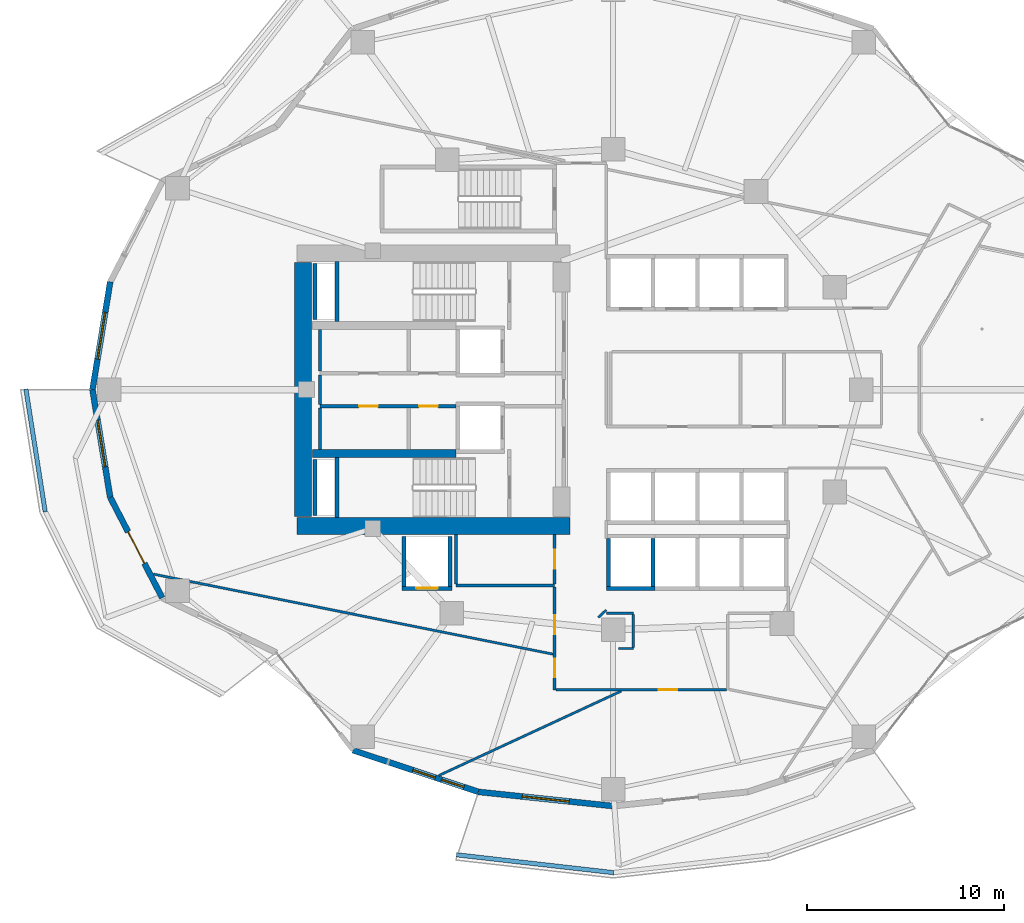
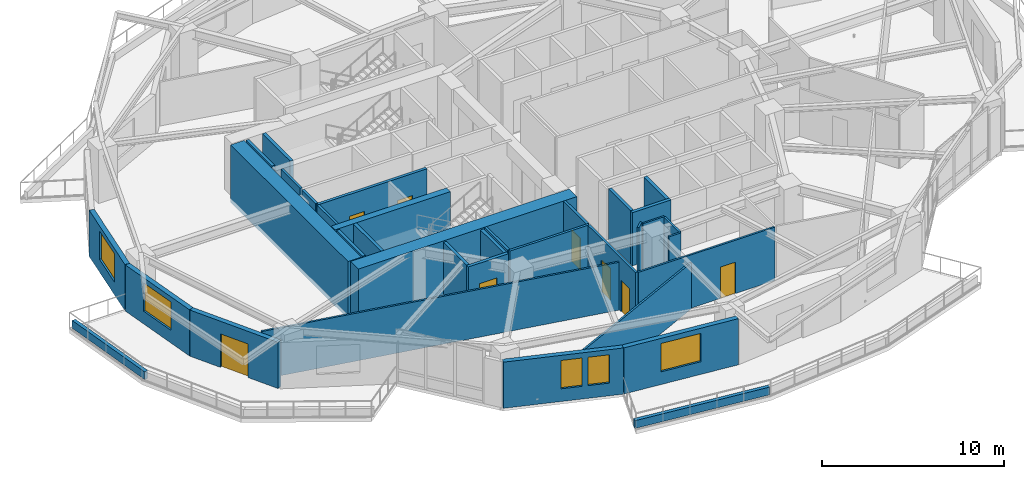
# One storey, part 8 of 18: 35 walls, 8 doors, 5 windows, 13 openings.
"""IFC4 building model written with IfcOpenShell, lengths in metres."""

from ifc_helpers import new_model, si_unit, direction, frame, frame_2d, origin, place, context, subcontext, project, spatial, rectangle, extrude, material, layer, layer_set, type_object, element, fill, save


model = new_model("IFC4")

# Units and contexts
model_context = context("Model", 3, precision=1e-05, world=origin(), true_north=direction((0.0, 1.0)))
body_context = subcontext(model_context, "Body", "Model", "MODEL_VIEW")
ifc_project = project(units=[si_unit("LENGTHUNIT", "METRE"), si_unit("AREAUNIT", "SQUARE_METRE"), si_unit("VOLUMEUNIT", "CUBIC_METRE"), si_unit("PLANEANGLEUNIT", "RADIAN"), si_unit("MASSUNIT", "GRAM", prefix="KILO")], contexts=[model_context])

# Site, building, storey
site_placement = place(None, origin())
site = spatial("IfcSite", under=ifc_project, at=site_placement, CompositionType="ELEMENT")
building_placement = place(site_placement, origin())
building = spatial("IfcBuilding", under=site, at=building_placement, Name="Kolvaren Gate Tower and Convention Centre", CompositionType="ELEMENT")
storey_placement = place(building_placement, frame((0.0, 0.0, 61.14990234375)))
storey = spatial("IfcBuildingStorey", under=building, at=storey_placement, Name="L14", CompositionType="ELEMENT", Elevation=61.14990234375)

# Wall, openings, doors
ifc_material_1 = material(Name="Autoclaved Aerated Masonry Blockwork Class 4 (4.0 MPa)", Category="masonry")
ifc_layer_1 = layer(ifc_material_1, 0.179931640625)
ifc_layer_set_1 = layer_set([ifc_layer_1], Name="Autoclaved Aerated Masonry Blockwork Class 4 (4.0 MPa)")
wall_type_1 = type_object("IfcWallType", Name="ARCH-WL-COMP-180", PredefinedType="SOLIDWALL", material=ifc_layer_set_1)
wall_1_placement = place(storey_placement, frame((15.25, 26.159912109375, 0.0), z_axis=(0.0, 0.0, 1.0), x_axis=(1.0, 0.0, 0.0)))
wall_1 = element("IfcWall", 1, at=wall_1_placement, inside=storey, type_object=wall_type_1, Name="Interior Partition WL-L14-INT-005", PredefinedType="SOLIDWALL", context=body_context, shape_type="SweptSolid", body=[
    extrude(rectangle(XDim=6.89990234375, YDim=0.179931640625, at=frame_2d((3.449951171875, 0.0))), origin(), (0.0, 0.0, 1.0), 3.570068359375),
])
opening_1_placement = place(wall_1_placement, frame((5.02001953125, 0.0, 0.0)))
opening_1 = element("IfcOpeningElement", 2, at=opening_1_placement, cuts=wall_1, Name="Opening DR-01", PredefinedType="OPENING", context=body_context, shape_type="SweptSolid", body=[
    extrude(rectangle(XDim=0.949951171875, YDim=2.10009765625, at=frame_2d((0.47509765625, 1.050048828125))), frame((0.0, 0.099853515625, 0.0), z_axis=(0.0, -1.0, 0.0), x_axis=(1.0, 0.0, 0.0)), (0.0, 0.0, 1.0), 0.199951171875),
])
opening_2_placement = place(wall_1_placement, frame((1.97998046875, 0.0, 0.0)))
opening_2 = element("IfcOpeningElement", 3, at=opening_2_placement, cuts=wall_1, Name="Opening DR-01", PredefinedType="OPENING", context=body_context, shape_type="SweptSolid", body=[
    extrude(rectangle(XDim=0.949951171875, YDim=2.10009765625, at=frame_2d((0.47509765625, 1.050048828125))), frame((0.0, 0.099853515625, 0.0), z_axis=(0.0, -1.0, 0.0), x_axis=(1.0, 0.0, 0.0)), (0.0, 0.0, 1.0), 0.199951171875),
])
ifc_material_2 = material(Name="Painted Architectural Steelwork ASTM A500 Grade C 345 MPa", Category="steel")
door_type_1 = type_object("IfcDoorType", Name="ARCH-DR-RISER-950", OperationType="SINGLE_SWING_RIGHT", PredefinedType="DOOR", material=ifc_material_2)
door_1_placement = place(opening_1_placement, origin())
door_1 = element("IfcDoor", 4, at=door_1_placement, inside=storey, type_object=door_type_1, Name="Domestic Water Meter Closet Door", OperationType="SINGLE_SWING_LEFT", OverallHeight=2.10009765625, OverallWidth=0.949951171875, PredefinedType="DOOR", context=body_context, shape_type="SweptSolid", body=[
    extrude(rectangle(XDim=0.949951171875, YDim=2.10009765625, at=frame_2d((0.47509765625, 1.050048828125))), frame((0.0, 0.02490234375, 0.0), z_axis=(0.0, -1.0, 0.0), x_axis=(1.0, 0.0, 0.0)), (0.0, 0.0, 1.0), 0.050048828125),
])
fill(opening_1, door_1)
door_2_placement = place(opening_2_placement, origin())
door_2 = element("IfcDoor", 5, at=door_2_placement, inside=storey, type_object=door_type_1, Name="Janitor Equipment Store Door", OperationType="SINGLE_SWING_LEFT", OverallHeight=2.10009765625, OverallWidth=0.949951171875, PredefinedType="DOOR", context=body_context, shape_type="SweptSolid", body=[
    extrude(rectangle(XDim=0.949951171875, YDim=2.10009765625, at=frame_2d((0.47509765625, 1.050048828125))), frame((0.0, 0.02490234375, 0.0), z_axis=(0.0, -1.0, 0.0), x_axis=(1.0, 0.0, 0.0)), (0.0, 0.0, 1.0), 0.050048828125),
])
fill(opening_2, door_2)

# Wall
ifc_material_3 = material(Name="Fire-Rated Acoustic Gypsum Stud Partition", Category="gypsum")
ifc_layer_2 = layer(ifc_material_3, 0.1201171875)
ifc_layer_set_2 = layer_set([ifc_layer_2], Name="Fire-Rated Acoustic Gypsum Stud Partition")
wall_type_2 = type_object("IfcWallType", Name="ARCH-WL-PART-120", PredefinedType="PARTITIONING", material=ifc_layer_set_2)
wall_2_placement = place(storey_placement, frame((29.780029296875, 15.64990234375, 0.0), z_axis=(0.0, 0.0, 1.0), x_axis=(1.0, 0.0, 0.0)))
element("IfcWall", 6, at=wall_2_placement, inside=storey, type_object=wall_type_2, Name="Interior Partition WL-L14-INT-017", PredefinedType="PARTITIONING", context=body_context, shape_type="SweptSolid", body=[
    extrude(rectangle(XDim=1.369873046875, YDim=0.1201171875, at=frame_2d((0.68505859375, 0.0))), origin(), (0.0, 0.0, 1.0), 3.570068359375),
])

# Wall, opening, door
wall_3_placement = place(storey_placement, frame((27.22705078125, 11.75, 0.0), z_axis=(0.0, 0.0, 1.0), x_axis=(1.0, 0.0, 0.0)))
wall_3 = element("IfcWall", 7, at=wall_3_placement, inside=storey, type_object=wall_type_2, Name="Interior Partition WL-L14-INT-020", PredefinedType="PARTITIONING", context=body_context, shape_type="SweptSolid", body=[
    extrude(rectangle(XDim=8.660888671875, YDim=0.1201171875, at=frame_2d((4.33056640625, 0.0))), origin(), (0.0, 0.0, 1.0), 3.570068359375),
])
opening_3_placement = place(wall_3_placement, frame((5.205810546875, 0.0, 0.0)))
opening_3 = element("IfcOpeningElement", 8, at=opening_3_placement, cuts=wall_3, Name="Opening DR-01", PredefinedType="OPENING", context=body_context, shape_type="SweptSolid", body=[
    extrude(rectangle(XDim=0.949951171875, YDim=2.10009765625, at=frame_2d((0.47509765625, 1.050048828125))), frame((0.0, 0.070068359375, 0.0), z_axis=(0.0, -1.0, 0.0), x_axis=(1.0, 0.0, 0.0)), (0.0, 0.0, 1.0), 0.14013671875),
])
door_3_placement = place(opening_3_placement, origin())
door_3 = element("IfcDoor", 9, at=door_3_placement, inside=storey, type_object=door_type_1, Name="Visitor Arrival Foyer Door", OperationType="SINGLE_SWING_RIGHT", OverallHeight=2.10009765625, OverallWidth=0.949951171875, PredefinedType="DOOR", context=body_context, shape_type="SweptSolid", body=[
    extrude(rectangle(XDim=0.949951171875, YDim=2.10009765625, at=frame_2d((0.47509765625, 1.050048828125))), frame((0.0, 0.02490234375, 0.0), z_axis=(0.0, -1.0, 0.0), x_axis=(1.0, 0.0, 0.0)), (0.0, 0.0, 1.0), 0.050048828125),
])
fill(opening_3, door_3)

# Walls
wall_4_placement = place(storey_placement, frame((29.366943359375, 15.422119140625, 0.0), z_axis=(0.0, 0.0, 1.0), x_axis=(0.730667420492, 0.682733564893, 0.0)))
element("IfcWall", 10, at=wall_4_placement, inside=storey, type_object=wall_type_2, Name="Interior Partition WL-L14-INT-037", PredefinedType="PARTITIONING", context=body_context, shape_type="SweptSolid", body=[
    extrude(rectangle(XDim=0.5654296875, YDim=0.1201171875, at=frame_2d((0.28271484375, 0.0))), origin(), (0.0, 0.0, 1.0), 3.570068359375),
])
wall_5_placement = place(storey_placement, frame((30.39111328125, 13.85009765625, 0.0), z_axis=(0.0, 0.0, 1.0), x_axis=(1.0, 0.0, 0.0)))
element("IfcWall", 11, at=wall_5_placement, inside=storey, type_object=wall_type_2, Name="Interior Partition WL-L14-INT-038", PredefinedType="PARTITIONING", context=body_context, shape_type="SweptSolid", body=[
    extrude(rectangle(XDim=0.7587890625, YDim=0.1201171875, at=frame_2d((0.37939453125, 0.0))), origin(), (0.0, 0.0, 1.0), 3.570068359375),
])
wall_6_placement = place(storey_placement, frame((31.14990234375, 13.912109375, 0.0), z_axis=(0.0, 0.0, 1.0), x_axis=(0.0, 1.0, 0.0)))
element("IfcWall", 12, at=wall_6_placement, inside=storey, type_object=wall_type_2, Name="Interior Partition WL-L14-INT-039", PredefinedType="PARTITIONING", context=body_context, shape_type="SweptSolid", body=[
    extrude(rectangle(XDim=1.67578125, YDim=0.1201171875, at=frame_2d((0.837890625, 0.0))), origin(), (0.0, 0.0, 1.0), 3.570068359375),
])
wall_7_placement = place(storey_placement, frame((6.77734375, 17.62890625, 0.0), z_axis=(0.0, 0.0, 1.0), x_axis=(0.980522111168, -0.19640873074, 0.0)))
element("IfcWall", 13, at=wall_7_placement, inside=storey, type_object=wall_type_2, Name="Interior Partition WL-L14-INT-040", PredefinedType="PARTITIONING", context=body_context, shape_type="SweptSolid", body=[
    extrude(rectangle(XDim=20.69873046875, YDim=0.1201171875, at=frame_2d((10.349365234375, 0.0))), origin(), (0.0, 0.0, 1.0), 3.205078125),
])
wall_8_placement = place(storey_placement, frame((21.2685546875, 7.398193359375, 0.0), z_axis=(0.0, 0.0, 1.0), x_axis=(0.907478047532, 0.420099503983, 0.0)))
element("IfcWall", 14, at=wall_8_placement, inside=storey, type_object=wall_type_2, Name="Interior Partition WL-L14-INT-042", PredefinedType="PARTITIONING", context=body_context, shape_type="SweptSolid", body=[
    extrude(rectangle(XDim=10.21142578125, YDim=0.1201171875, at=frame_2d((5.105712890625, 0.0))), origin(), (0.0, 0.0, 1.0), 3.093017578125),
])
ifc_material_4 = material(Name="Piedmont Cream Honed Limestone Cladding", Category="masonry")
ifc_layer_3 = layer(ifc_material_4, 0.219970703125)
ifc_layer_set_3 = layer_set([ifc_layer_3], Name="Piedmont Cream Honed Limestone Cladding")
wall_type_3 = type_object("IfcWallType", Name="ARCH-WL-PLANTER-220", PredefinedType="PARAPET", material=ifc_layer_set_3)
wall_9_placement = place(storey_placement, frame((0.305908203125, 27.029296875, 0.0), z_axis=(0.0, 0.0, 1.0), x_axis=(0.15545655238, -0.987842730561, 0.0)))
element("IfcWall", 15, at=wall_9_placement, inside=storey, type_object=wall_type_3, Name="Vertical-Forest Balcony Stone Planter Kerb PK-L14-2.1", PredefinedType="PARAPET", context=body_context, shape_type="SweptSolid", body=[
    extrude(rectangle(XDim=6.318115234375, YDim=0.219970703125, at=frame_2d((3.1591796875, 0.0))), origin(), (0.0, 0.0, 1.0), 0.52001953125),
])
wall_10_placement = place(storey_placement, frame((22.16552734375, 3.37646484375, 0.0), z_axis=(0.0, 0.0, 1.0), x_axis=(0.993598144351, -0.112972242349, 0.0)))
element("IfcWall", 16, at=wall_10_placement, inside=storey, type_object=wall_type_3, Name="Vertical-Forest Balcony Stone Planter Kerb PK-L14-3.1", PredefinedType="PARAPET", context=body_context, shape_type="SweptSolid", body=[
    extrude(rectangle(XDim=8.056396484375, YDim=0.219970703125, at=frame_2d((4.0283203125, 0.0))), origin(), (0.0, 0.0, 1.0), 0.52001953125),
])

# Wall, opening, door
ifc_layer_4 = layer(ifc_material_1, 0.199951171875)
ifc_layer_set_4 = layer_set([ifc_layer_4], Name="Autoclaved Aerated Masonry Blockwork Class 4 (4.0 MPa)")
wall_type_4 = type_object("IfcWallType", Name="ARCH-WL-SHAFT-200", PredefinedType="SOLIDWALL", material=ifc_layer_set_4)
wall_11_placement = place(storey_placement, frame((19.39990234375, 16.89990234375, 0.0), z_axis=(0.0, 0.0, 1.0), x_axis=(1.0, 0.0, 0.0)))
wall_11 = element("IfcWall", 17, at=wall_11_placement, inside=storey, type_object=wall_type_4, Name="Elevator SV-01 L14 Fire Shaft Wall S", PredefinedType="SOLIDWALL", context=body_context, shape_type="SweptSolid", body=[
    extrude(rectangle(XDim=2.550048828125, YDim=0.199951171875, at=frame_2d((1.27490234375, 0.0))), origin(), (0.0, 0.0, 1.0), 3.570068359375),
])
opening_4_placement = place(wall_11_placement, frame((0.72509765625, 0.0, 0.0)))
opening_4 = element("IfcOpeningElement", 18, at=opening_4_placement, cuts=wall_11, Name="Opening LD", PredefinedType="OPENING", context=body_context, shape_type="SweptSolid", body=[
    extrude(rectangle(XDim=1.10009765625, YDim=2.199951171875, at=frame_2d((0.550048828125, 1.10009765625))), frame((0.0, 0.10986328125, 0.0), z_axis=(0.0, -1.0, 0.0), x_axis=(1.0, 0.0, 0.0)), (0.0, 0.0, 1.0), 0.219970703125),
])
ifc_material_5 = material(Name="Brushed Stainless Steel Grade 316L", Category="steel")
door_type_2 = type_object("IfcDoorType", Name="ARCH-DR-LIFT-1100", OperationType="SLIDING_TO_LEFT", PredefinedType="DOOR", material=ifc_material_5)
door_4_placement = place(opening_4_placement, origin())
door_4 = element("IfcDoor", 19, at=door_4_placement, inside=storey, type_object=door_type_2, Name="Elevator SV-01 L14 Sliding Landing Door", OperationType="SLIDING_TO_LEFT", OverallHeight=2.199951171875, OverallWidth=1.10009765625, PredefinedType="DOOR", context=body_context, shape_type="SweptSolid", body=[
    extrude(rectangle(XDim=1.10009765625, YDim=2.199951171875, at=frame_2d((0.550048828125, 1.10009765625))), frame((0.0, 0.02490234375, 0.0), z_axis=(0.0, -1.0, 0.0), x_axis=(1.0, 0.0, 0.0)), (0.0, 0.0, 1.0), 0.050048828125),
])
fill(opening_4, door_4)

# Walls
for number, where, z_axis, x_axis, name in (
    (20, (19.5, 17.010009765625, 0.0), (0.0, 0.0, 1.0), (0.0, 1.0, 0.0), "Elevator SV-01 L14 Fire Shaft Wall W"),
    (21, (21.85009765625, 17.010009765625, 0.0), (0.0, 0.0, 1.0), (0.0, 1.0, 0.0), "Elevator SV-01 L14 Fire Shaft Wall E"),
):
    element("IfcWall", number, at=place(storey_placement, frame(where, z_axis=z_axis, x_axis=x_axis)), inside=storey, type_object=wall_type_4, Name=name, PredefinedType="SOLIDWALL", context=body_context, shape_type="SweptSolid", body=[
        extrude(rectangle(XDim=2.530029296875, YDim=0.199951171875, at=frame_2d((1.26513671875, 0.0))), origin(), (0.0, 0.0, 1.0), 3.570068359375),
    ])
wall_12_placement = place(storey_placement, frame((29.800048828125, 16.89990234375, 0.0), z_axis=(0.0, 0.0, 1.0), x_axis=(1.0, 0.0, 0.0)))
element("IfcWall", 22, at=wall_12_placement, inside=storey, type_object=wall_type_4, Name="Elevator PL-05 L14 Fire Shaft Wall S", PredefinedType="SOLIDWALL", context=body_context, shape_type="SweptSolid", body=[
    extrude(rectangle(XDim=2.449951171875, YDim=0.199951171875, at=frame_2d((1.22509765625, 0.0))), origin(), (0.0, 0.0, 1.0), 3.570068359375),
])
for number, where, z_axis, x_axis, name in (
    (23, (29.89990234375, 17.010009765625, 0.0), (0.0, 0.0, 1.0), (0.0, 1.0, 0.0), "Elevator PL-05 L14 Fire Shaft Wall W"),
    (24, (32.14990234375, 17.010009765625, 0.0), (0.0, 0.0, 1.0), (0.0, 1.0, 0.0), "Elevator PL-05 L14 Fire Shaft Wall E"),
):
    element("IfcWall", number, at=place(storey_placement, frame(where, z_axis=z_axis, x_axis=x_axis)), inside=storey, type_object=wall_type_4, Name=name, PredefinedType="SOLIDWALL", context=body_context, shape_type="SweptSolid", body=[
        extrude(rectangle(XDim=2.429931640625, YDim=0.199951171875, at=frame_2d((1.21484375, 0.0))), origin(), (0.0, 0.0, 1.0), 3.570068359375),
    ])
for number, where, z_axis, x_axis, name in (
    (25, (14.989990234375, 30.550048828125, 0.0), (0.0, 0.0, 1.0), (0.0, 1.0, 0.0), "Vertical Shaft HVR L14 EI-120 Enclosure Wall W"),
    (26, (14.989990234375, 20.60009765625, 0.0), (0.0, 0.0, 1.0), (0.0, 1.0, 0.0), "Vertical Shaft MPR L14 EI-120 Enclosure Wall W"),
):
    element("IfcWall", number, at=place(storey_placement, frame(where, z_axis=z_axis, x_axis=x_axis)), inside=storey, type_object=wall_type_4, Name=name, PredefinedType="SOLIDWALL", context=body_context, shape_type="SweptSolid", body=[
        extrude(rectangle(XDim=2.849853515625, YDim=0.199951171875, at=frame_2d((1.4248046875, 0.0))), origin(), (0.0, 0.0, 1.0), 3.570068359375),
    ])

# Wall, opening, window
ifc_layer_5 = layer(ifc_material_4, 0.300048828125)
ifc_layer_set_5 = layer_set([ifc_layer_5], Name="Piedmont Cream Honed Limestone Cladding")
wall_type_5 = type_object("IfcWallType", Name="ARCH-WL-STONE-300", PredefinedType="SOLIDWALL", material=ifc_layer_set_5)
wall_13_placement = place(storey_placement, frame((3.6875, 27.0, 0.0), z_axis=(0.0, 0.0, 1.0), x_axis=(0.162386212206, 0.986727276447, 0.0)))
wall_13 = element("IfcWall", 27, at=wall_13_placement, inside=storey, type_object=wall_type_5, Name="Tower L14 Honed Stone Spandrel Wall EW-11", PredefinedType="SOLIDWALL", context=body_context, shape_type="SweptSolid", body=[
    extrude(rectangle(XDim=5.5478515625, YDim=0.300048828125, at=frame_2d((2.77392578125, 0.0))), origin(), (0.0, 0.0, 1.0), 3.093017578125),
])
opening_5_placement = place(wall_13_placement, frame((1.573974609375, 0.0, 0.85009765625)))
opening_5 = element("IfcOpeningElement", 28, at=opening_5_placement, cuts=wall_13, Name="Opening W-01", PredefinedType="OPENING", context=body_context, shape_type="SweptSolid", body=[
    extrude(rectangle(XDim=2.39990234375, YDim=1.89990234375, at=frame_2d((1.199951171875, 0.949951171875))), frame((0.0, 0.159912109375, 0.0), z_axis=(0.0, -1.0, 0.0), x_axis=(1.0, 0.0, 0.0)), (0.0, 0.0, 1.0), 0.320068359375),
])
ifc_material_6 = material(Name="Low-E Triple Insulated Glazing Unit 44 mm", Category="glass")
window_type_1 = type_object("IfcWindowType", Name="ARCH-WN-OFF-2400", PartitioningType="SINGLE_PANEL", PredefinedType="WINDOW", material=ifc_material_6)
window_1_placement = place(opening_5_placement, origin())
window_1 = element("IfcWindow", 29, at=window_1_placement, inside=storey, type_object=window_type_1, Name="Tower L14 Punched Stone Facade Window W-11", OverallHeight=1.89990234375, OverallWidth=2.39990234375, PartitioningType="SINGLE_PANEL", PredefinedType="WINDOW", context=body_context, shape_type="SweptSolid", body=[
    extrude(rectangle(XDim=2.39990234375, YDim=1.89990234375, at=frame_2d((1.199951171875, 0.949951171875))), frame((0.0, 0.030029296875, 0.0), z_axis=(0.0, -1.0, 0.0), x_axis=(1.0, 0.0, 0.0)), (0.0, 0.0, 1.0), 0.06005859375),
])
fill(opening_5, window_1)

wall_14_placement = place(storey_placement, frame((3.6875, 27.0, 0.0), z_axis=(0.0, 0.0, 1.0), x_axis=(0.162386212206, -0.986727276447, 0.0)))
wall_14 = element("IfcWall", 30, at=wall_14_placement, inside=storey, type_object=wall_type_5, Name="Tower L14 Honed Stone Spandrel Wall EW-12", PredefinedType="SOLIDWALL", context=body_context, shape_type="SweptSolid", body=[
    extrude(rectangle(XDim=5.5478515625, YDim=0.300048828125, at=frame_2d((2.77392578125, 0.0))), origin(), (0.0, 0.0, 1.0), 3.093017578125),
])
opening_6_placement = place(wall_14_placement, frame((1.573974609375, 0.0, 0.85009765625)))
opening_6 = element("IfcOpeningElement", 31, at=opening_6_placement, cuts=wall_14, Name="Opening W-01", PredefinedType="OPENING", context=body_context, shape_type="SweptSolid", body=[
    extrude(rectangle(XDim=2.39990234375, YDim=1.89990234375, at=frame_2d((1.199951171875, 0.949951171875))), frame((0.0, 0.159912109375, 0.0), z_axis=(0.0, -1.0, 0.0), x_axis=(1.0, 0.0, 0.0)), (0.0, 0.0, 1.0), 0.320068359375),
])
window_2_placement = place(opening_6_placement, origin())
window_2 = element("IfcWindow", 32, at=window_2_placement, inside=storey, type_object=window_type_1, Name="Tower L14 Punched Stone Facade Window W-12", OverallHeight=1.89990234375, OverallWidth=2.39990234375, PartitioningType="SINGLE_PANEL", PredefinedType="WINDOW", context=body_context, shape_type="SweptSolid", body=[
    extrude(rectangle(XDim=2.39990234375, YDim=1.89990234375, at=frame_2d((1.199951171875, 0.949951171875))), frame((0.0, 0.030029296875, 0.0), z_axis=(0.0, -1.0, 0.0), x_axis=(1.0, 0.0, 0.0)), (0.0, 0.0, 1.0), 0.06005859375),
])
fill(opening_6, window_2)

# Wall, opening, door
wall_15_placement = place(storey_placement, frame((4.58837890625, 21.52587890625, 0.0), z_axis=(0.0, 0.0, 1.0), x_axis=(0.459800981414, -0.888021991558, 0.0)))
wall_15 = element("IfcWall", 33, at=wall_15_placement, inside=storey, type_object=wall_type_5, Name="Tower L14 Honed Stone Spandrel Wall EW-13", PredefinedType="SOLIDWALL", context=body_context, shape_type="SweptSolid", body=[
    extrude(rectangle(XDim=5.744140625, YDim=0.300048828125, at=frame_2d((2.8720703125, 0.0))), origin(), (0.0, 0.0, 1.0), 3.093017578125),
])
opening_7_placement = place(wall_15_placement, frame((1.971923828125, 0.0, 0.0)))
opening_7 = element("IfcOpeningElement", 34, at=opening_7_placement, cuts=wall_15, Name="Opening DB-01", PredefinedType="OPENING", context=body_context, shape_type="SweptSolid", body=[
    extrude(rectangle(XDim=1.800048828125, YDim=2.25, at=frame_2d((0.89990234375, 1.125))), frame((0.0, 0.159912109375, 0.0), z_axis=(0.0, -1.0, 0.0), x_axis=(1.0, 0.0, 0.0)), (0.0, 0.0, 1.0), 0.320068359375),
])
ifc_material_7 = material(Name="Anodized Architectural Aluminium Alloy 6063-T6", Category="aluminium")
door_type_3 = type_object("IfcDoorType", Name="ARCH-DR-BALC-1800", OperationType="SLIDING_TO_LEFT", PredefinedType="DOOR", material=ifc_material_7)
door_5_placement = place(opening_7_placement, frame((1.800048828125, 0.0, 0.0), z_axis=(0.0, 0.0, 1.0), x_axis=(-1.0, 0.0, 0.0)))
door_5 = element("IfcDoor", 35, at=door_5_placement, inside=storey, type_object=door_type_3, Name="Planted Sky Terrace Access Door DB-L14-13", OperationType="SLIDING_TO_LEFT", OverallHeight=2.25, OverallWidth=1.800048828125, PredefinedType="DOOR", context=body_context, shape_type="SweptSolid", body=[
    extrude(rectangle(XDim=1.800048828125, YDim=2.25, at=frame_2d((0.89990234375, 1.125))), frame((0.0, 0.02490234375, 0.0), z_axis=(0.0, -1.0, 0.0), x_axis=(1.0, 0.0, 0.0)), (0.0, 0.0, 1.0), 0.050048828125),
])
fill(opening_7, door_5)

# Wall, openings, windows
wall_16_placement = place(storey_placement, frame((16.90625, 8.68359375, 0.0), z_axis=(0.0, 0.0, 1.0), x_axis=(0.949245153629, -0.314537181127, 0.0)))
wall_16 = element("IfcWall", 36, at=wall_16_placement, inside=storey, type_object=wall_type_5, Name="Tower L14 Honed Stone Spandrel Wall EW-16", PredefinedType="SOLIDWALL", context=body_context, shape_type="SweptSolid", body=[
    extrude(rectangle(XDim=6.717041015625, YDim=0.300048828125, at=frame_2d((3.3583984375, 0.0))), origin(), (0.0, 0.0, 1.0), 3.093017578125),
])
opening_8_placement = place(wall_16_placement, frame((3.21533203125, 0.0, 0.85009765625)))
opening_8 = element("IfcOpeningElement", 37, at=opening_8_placement, cuts=wall_16, Name="Opening W-04", PredefinedType="OPENING", context=body_context, shape_type="SweptSolid", body=[
    extrude(rectangle(XDim=1.199951171875, YDim=1.89990234375, at=frame_2d((0.60009765625, 0.949951171875))), frame((0.0, 0.159912109375, 0.0), z_axis=(0.0, -1.0, 0.0), x_axis=(1.0, 0.0, 0.0)), (0.0, 0.0, 1.0), 0.320068359375),
])
opening_9_placement = place(wall_16_placement, frame((4.742431640625, 0.0, 0.85009765625)))
opening_9 = element("IfcOpeningElement", 38, at=opening_9_placement, cuts=wall_16, Name="Opening W-04", PredefinedType="OPENING", context=body_context, shape_type="SweptSolid", body=[
    extrude(rectangle(XDim=1.199951171875, YDim=1.89990234375, at=frame_2d((0.60009765625, 0.949951171875))), frame((0.0, 0.159912109375, 0.0), z_axis=(0.0, -1.0, 0.0), x_axis=(1.0, 0.0, 0.0)), (0.0, 0.0, 1.0), 0.320068359375),
])
window_type_2 = type_object("IfcWindowType", Name="ARCH-WN-NARROW-1200", PartitioningType="SINGLE_PANEL", PredefinedType="WINDOW", material=ifc_material_6)
window_3_placement = place(opening_8_placement, origin())
window_3 = element("IfcWindow", 39, at=window_3_placement, inside=storey, type_object=window_type_2, Name="Tower L14 Punched Stone Facade Window W-16", OverallHeight=1.89990234375, OverallWidth=1.199951171875, PartitioningType="SINGLE_PANEL", PredefinedType="WINDOW", context=body_context, shape_type="SweptSolid", body=[
    extrude(rectangle(XDim=1.199951171875, YDim=1.89990234375, at=frame_2d((0.60009765625, 0.949951171875))), frame((0.0, 0.030029296875, 0.0), z_axis=(0.0, -1.0, 0.0), x_axis=(1.0, 0.0, 0.0)), (0.0, 0.0, 1.0), 0.06005859375),
])
fill(opening_8, window_3)
window_4_placement = place(opening_9_placement, origin())
window_4 = element("IfcWindow", 40, at=window_4_placement, inside=storey, type_object=window_type_2, Name="Tower L14 Punched Stone Facade Window W-16B", OverallHeight=1.89990234375, OverallWidth=1.199951171875, PartitioningType="SINGLE_PANEL", PredefinedType="WINDOW", context=body_context, shape_type="SweptSolid", body=[
    extrude(rectangle(XDim=1.199951171875, YDim=1.89990234375, at=frame_2d((0.60009765625, 0.949951171875))), frame((0.0, 0.030029296875, 0.0), z_axis=(0.0, -1.0, 0.0), x_axis=(1.0, 0.0, 0.0)), (0.0, 0.0, 1.0), 0.06005859375),
])
fill(opening_9, window_4)

# Wall, opening, window
wall_17_placement = place(storey_placement, frame((23.282470703125, 6.57080078125, 0.0), z_axis=(0.0, 0.0, 1.0), x_axis=(0.994498840295, -0.104747585419, 0.0)))
wall_17 = element("IfcWall", 41, at=wall_17_placement, inside=storey, type_object=wall_type_5, Name="Tower L14 Honed Stone Spandrel Wall EW-17", PredefinedType="SOLIDWALL", context=body_context, shape_type="SweptSolid", body=[
    extrude(rectangle(XDim=6.88037109375, YDim=0.300048828125, at=frame_2d((3.440185546875, 0.0))), origin(), (0.0, 0.0, 1.0), 3.093017578125),
])
opening_10_placement = place(wall_17_placement, frame((2.239990234375, 0.0, 0.85009765625)))
opening_10 = element("IfcOpeningElement", 42, at=opening_10_placement, cuts=wall_17, Name="Opening W-01", PredefinedType="OPENING", context=body_context, shape_type="SweptSolid", body=[
    extrude(rectangle(XDim=2.39990234375, YDim=1.89990234375, at=frame_2d((1.199951171875, 0.949951171875))), frame((0.0, 0.159912109375, 0.0), z_axis=(0.0, -1.0, 0.0), x_axis=(1.0, 0.0, 0.0)), (0.0, 0.0, 1.0), 0.320068359375),
])
window_5_placement = place(opening_10_placement, origin())
window_5 = element("IfcWindow", 43, at=window_5_placement, inside=storey, type_object=window_type_1, Name="Tower L14 Punched Stone Facade Window W-17", OverallHeight=1.89990234375, OverallWidth=2.39990234375, PartitioningType="SINGLE_PANEL", PredefinedType="WINDOW", context=body_context, shape_type="SweptSolid", body=[
    extrude(rectangle(XDim=2.39990234375, YDim=1.89990234375, at=frame_2d((1.199951171875, 0.949951171875))), frame((0.0, 0.030029296875, 0.0), z_axis=(0.0, -1.0, 0.0), x_axis=(1.0, 0.0, 0.0)), (0.0, 0.0, 1.0), 0.06005859375),
])
fill(opening_10, window_5)

# Walls
ifc_material_8 = material(Name="Moisture-Resistant Cement-Board Acoustic Partition", Category="gypsum")
ifc_layer_6 = layer(ifc_material_8, 0.14990234375)
ifc_layer_set_6 = layer_set([ifc_layer_6], Name="Moisture-Resistant Cement-Board Acoustic Partition")
wall_type_6 = type_object("IfcWallType", Name="ARCH-WL-WET-150", PredefinedType="PARTITIONING", material=ifc_layer_set_6)
wall_18_placement = place(storey_placement, frame((15.25, 23.9619140625, 0.0), z_axis=(0.0, 0.0, 1.0), x_axis=(0.0, 1.0, 0.0)))
element("IfcWall", 44, at=wall_18_placement, inside=storey, type_object=wall_type_6, Name="Interior Partition WL-L14-INT-006", PredefinedType="PARTITIONING", context=body_context, shape_type="SweptSolid", body=[
    extrude(rectangle(XDim=2.106201171875, YDim=0.14990234375, at=frame_2d((1.05322265625, 0.0))), origin(), (0.0, 0.0, 1.0), 3.570068359375),
])
wall_19_placement = place(storey_placement, frame((15.25, 26.251953125, 0.0), z_axis=(0.0, 0.0, 1.0), x_axis=(0.0, 1.0, 0.0)))
element("IfcWall", 45, at=wall_19_placement, inside=storey, type_object=wall_type_6, Name="Interior Partition WL-L14-INT-006 (2)", PredefinedType="PARTITIONING", context=body_context, shape_type="SweptSolid", body=[
    extrude(rectangle(XDim=1.49609375, YDim=0.14990234375, at=frame_2d((0.748046875, 0.0))), origin(), (0.0, 0.0, 1.0), 3.570068359375),
])
wall_20_placement = place(storey_placement, frame((15.25, 27.931884765625, 0.0), z_axis=(0.0, 0.0, 1.0), x_axis=(0.0, 1.0, 0.0)))
element("IfcWall", 46, at=wall_20_placement, inside=storey, type_object=wall_type_6, Name="Interior Partition WL-L14-INT-006 (3)", PredefinedType="PARTITIONING", context=body_context, shape_type="SweptSolid", body=[
    extrude(rectangle(XDim=2.106201171875, YDim=0.14990234375, at=frame_2d((1.05322265625, 0.0))), origin(), (0.0, 0.0, 1.0), 3.570068359375),
])
wall_21_placement = place(storey_placement, frame((22.14990234375, 17.050048828125, 0.0), z_axis=(0.0, 0.0, 1.0), x_axis=(1.0, 0.0, 0.0)))
element("IfcWall", 47, at=wall_21_placement, inside=storey, type_object=wall_type_6, Name="Interior Partition WL-L14-INT-009", PredefinedType="PARTITIONING", context=body_context, shape_type="SweptSolid", body=[
    extrude(rectangle(XDim=5.0, YDim=0.14990234375, at=frame_2d((2.5, 0.0))), origin(), (0.0, 0.0, 1.0), 3.570068359375),
])
wall_22_placement = place(storey_placement, frame((22.14990234375, 17.126953125, 0.0), z_axis=(0.0, 0.0, 1.0), x_axis=(0.0, 1.0, 0.0)))
element("IfcWall", 48, at=wall_22_placement, inside=storey, type_object=wall_type_6, Name="Interior Partition WL-L14-INT-010", PredefinedType="PARTITIONING", context=body_context, shape_type="SweptSolid", body=[
    extrude(rectangle(XDim=2.52099609375, YDim=0.14990234375, at=frame_2d((1.260498046875, 0.0))), origin(), (0.0, 0.0, 1.0), 3.570068359375),
])

# Wall, openings, doors
wall_23_placement = place(storey_placement, frame((27.14990234375, 11.75, 0.0), z_axis=(0.0, 0.0, 1.0), x_axis=(0.0, 1.0, 0.0)))
wall_23 = element("IfcWall", 49, at=wall_23_placement, inside=storey, type_object=wall_type_6, Name="Interior Partition WL-L14-INT-011", PredefinedType="PARTITIONING", context=body_context, shape_type="SweptSolid", body=[
    extrude(rectangle(XDim=5.222900390625, YDim=0.14990234375, at=frame_2d((2.611328125, 0.0))), origin(), (0.0, 0.0, 1.0), 3.570068359375),
])
opening_11_placement = place(wall_23_placement, frame((0.63134765625, 0.0, 0.0)))
opening_11 = element("IfcOpeningElement", 50, at=opening_11_placement, cuts=wall_23, Name="Opening DR-01", PredefinedType="OPENING", context=body_context, shape_type="SweptSolid", body=[
    extrude(rectangle(XDim=0.949951171875, YDim=2.10009765625, at=frame_2d((0.47509765625, 1.050048828125))), frame((0.0, 0.0849609375, 0.0), z_axis=(0.0, -1.0, 0.0), x_axis=(1.0, 0.0, 0.0)), (0.0, 0.0, 1.0), 0.169921875),
])
opening_12_placement = place(wall_23_placement, frame((2.828125, 0.0, 0.0)))
opening_12 = element("IfcOpeningElement", 51, at=opening_12_placement, cuts=wall_23, Name="Opening DR-01", PredefinedType="OPENING", context=body_context, shape_type="SweptSolid", body=[
    extrude(rectangle(XDim=0.949951171875, YDim=2.10009765625, at=frame_2d((0.47509765625, 1.050048828125))), frame((0.0, 0.0849609375, 0.0), z_axis=(0.0, -1.0, 0.0), x_axis=(1.0, 0.0, 0.0)), (0.0, 0.0, 1.0), 0.169921875),
])
door_6_placement = place(opening_11_placement, origin())
door_6 = element("IfcDoor", 52, at=door_6_placement, inside=storey, type_object=door_type_1, Name="Design Flagship Showroom Door", OperationType="SINGLE_SWING_LEFT", OverallHeight=2.10009765625, OverallWidth=0.949951171875, PredefinedType="DOOR", context=body_context, shape_type="SweptSolid", body=[
    extrude(rectangle(XDim=0.949951171875, YDim=2.10009765625, at=frame_2d((0.47509765625, 1.050048828125))), frame((0.0, 0.02490234375, 0.0), z_axis=(0.0, -1.0, 0.0), x_axis=(1.0, 0.0, 0.0)), (0.0, 0.0, 1.0), 0.050048828125),
])
fill(opening_11, door_6)
door_7_placement = place(opening_12_placement, origin())
door_7 = element("IfcDoor", 53, at=door_7_placement, inside=storey, type_object=door_type_1, Name="Grand Client Arrival Foyer Door", OperationType="SINGLE_SWING_LEFT", OverallHeight=2.10009765625, OverallWidth=0.949951171875, PredefinedType="DOOR", context=body_context, shape_type="SweptSolid", body=[
    extrude(rectangle(XDim=0.949951171875, YDim=2.10009765625, at=frame_2d((0.47509765625, 1.050048828125))), frame((0.0, 0.02490234375, 0.0), z_axis=(0.0, -1.0, 0.0), x_axis=(1.0, 0.0, 0.0)), (0.0, 0.0, 1.0), 0.050048828125),
])
fill(opening_12, door_7)

# Wall, opening, door
wall_24_placement = place(storey_placement, frame((27.14990234375, 17.126953125, 0.0), z_axis=(0.0, 0.0, 1.0), x_axis=(0.0, 1.0, 0.0)))
wall_24 = element("IfcWall", 54, at=wall_24_placement, inside=storey, type_object=wall_type_6, Name="Interior Partition WL-L14-INT-011 (2)", PredefinedType="PARTITIONING", context=body_context, shape_type="SweptSolid", body=[
    extrude(rectangle(XDim=2.52099609375, YDim=0.14990234375, at=frame_2d((1.260498046875, 0.0))), origin(), (0.0, 0.0, 1.0), 3.570068359375),
])
opening_13_placement = place(wall_24_placement, frame((0.785400390625, 0.0, 0.0)))
opening_13 = element("IfcOpeningElement", 55, at=opening_13_placement, cuts=wall_24, Name="Opening DR-01", PredefinedType="OPENING", context=body_context, shape_type="SweptSolid", body=[
    extrude(rectangle(XDim=0.949951171875, YDim=2.10009765625, at=frame_2d((0.47509765625, 1.050048828125))), frame((0.0, 0.0849609375, 0.0), z_axis=(0.0, -1.0, 0.0), x_axis=(1.0, 0.0, 0.0)), (0.0, 0.0, 1.0), 0.169921875),
])
door_8_placement = place(opening_13_placement, origin())
door_8 = element("IfcDoor", 56, at=door_8_placement, inside=storey, type_object=door_type_1, Name="West Linen and Supply Store Door", OperationType="SINGLE_SWING_RIGHT", OverallHeight=2.10009765625, OverallWidth=0.949951171875, PredefinedType="DOOR", context=body_context, shape_type="SweptSolid", body=[
    extrude(rectangle(XDim=0.949951171875, YDim=2.10009765625, at=frame_2d((0.47509765625, 1.050048828125))), frame((0.0, 0.02490234375, 0.0), z_axis=(0.0, -1.0, 0.0), x_axis=(1.0, 0.0, 0.0)), (0.0, 0.0, 1.0), 0.050048828125),
])
fill(opening_13, door_8)

# Walls
ifc_material_9 = material(Name="Concrete C50/60", Category="concrete")
ifc_layer_7 = layer(ifc_material_9, 0.419921875)
ifc_layer_set_7 = layer_set([ifc_layer_7], Name="Concrete C50/60")
wall_type_7 = type_object("IfcWallType", Name="STR-WL-CONV-420", PredefinedType="SHEAR", material=ifc_layer_set_7)
wall_25_placement = place(storey_placement, frame((14.85009765625, 23.75, -0.27978515625), z_axis=(0.0, 0.0, 1.0), x_axis=(1.0, 0.0, 0.0)))
element("IfcWall", 57, at=wall_25_placement, inside=storey, type_object=wall_type_7, Name="Tower L14 Offset Core Shear Wall WS", PredefinedType="SHEAR", context=body_context, shape_type="SweptSolid", body=[
    extrude(rectangle(XDim=7.2998046875, YDim=0.419921875, at=frame_2d((3.64990234375, 0.0))), origin(), (0.0, 0.0, 1.0), 3.849853515625),
])
ifc_material_10 = material(Name="Concrete C70/85", Category="concrete")
ifc_layer_8 = layer(ifc_material_10, 0.85009765625)
ifc_layer_set_8 = layer_set([ifc_layer_8], Name="Concrete C70/85")
wall_type_8 = type_object("IfcWallType", Name="STR-WL-CORE-850", PredefinedType="SHEAR", material=ifc_layer_set_8)
wall_26_placement = place(storey_placement, frame((14.074951171875, 20.074951171875, -0.27978515625), z_axis=(0.0, 0.0, 1.0), x_axis=(1.0, 0.0, 0.0)))
element("IfcWall", 58, at=wall_26_placement, inside=storey, type_object=wall_type_8, Name="Tower L14 Offset Core Shear Wall S", PredefinedType="SHEAR", context=body_context, shape_type="SweptSolid", body=[
    extrude(rectangle(XDim=13.85009765625, YDim=0.85009765625, at=frame_2d((6.925048828125, 0.0))), origin(), (0.0, 0.0, 1.0), 3.849853515625),
])
wall_27_placement = place(storey_placement, frame((14.375, 20.550048828125, -0.27978515625), z_axis=(0.0, 0.0, 1.0), x_axis=(0.0, 1.0, 0.0)))
element("IfcWall", 59, at=wall_27_placement, inside=storey, type_object=wall_type_8, Name="Tower L14 Offset Core Shear Wall W", PredefinedType="SHEAR", context=body_context, shape_type="SweptSolid", body=[
    extrude(rectangle(XDim=12.89990234375, YDim=0.85009765625, at=frame_2d((6.449951171875, 0.0))), origin(), (0.0, 0.0, 1.0), 3.849853515625),
])
ifc_layer_9 = layer(ifc_material_9, 0.199951171875)
ifc_layer_set_9 = layer_set([ifc_layer_9], Name="Concrete C50/60")
wall_type_9 = type_object("IfcWallType", Name="STR-WL-SHAFT-200", PredefinedType="SHEAR", material=ifc_layer_set_9)
for number, where, z_axis, x_axis, name in (
    (60, (16.10009765625, 30.4619140625, -0.27978515625), (0.0, 0.0, 1.0), (0.0, 1.0, 0.0), "Tower North Exit Stair ST-T1 L14 Structural Shear Enclosure Wall FAR"),
    (61, (16.10009765625, 20.501953125, -0.27978515625), (0.0, 0.0, 1.0), (0.0, 1.0, 0.0), "Tower South Exit Stair ST-T2 L14 Structural Shear Enclosure Wall FAR"),
):
    element("IfcWall", number, at=place(storey_placement, frame(where, z_axis=z_axis, x_axis=x_axis)), inside=storey, type_object=wall_type_9, Name=name, PredefinedType="SHEAR", context=body_context, shape_type="SweptSolid", body=[
        extrude(rectangle(XDim=3.0361328125, YDim=0.199951171875, at=frame_2d((1.51806640625, 0.0))), origin(), (0.0, 0.0, 1.0), 3.849853515625),
    ])

save(model, "model.ifc")
